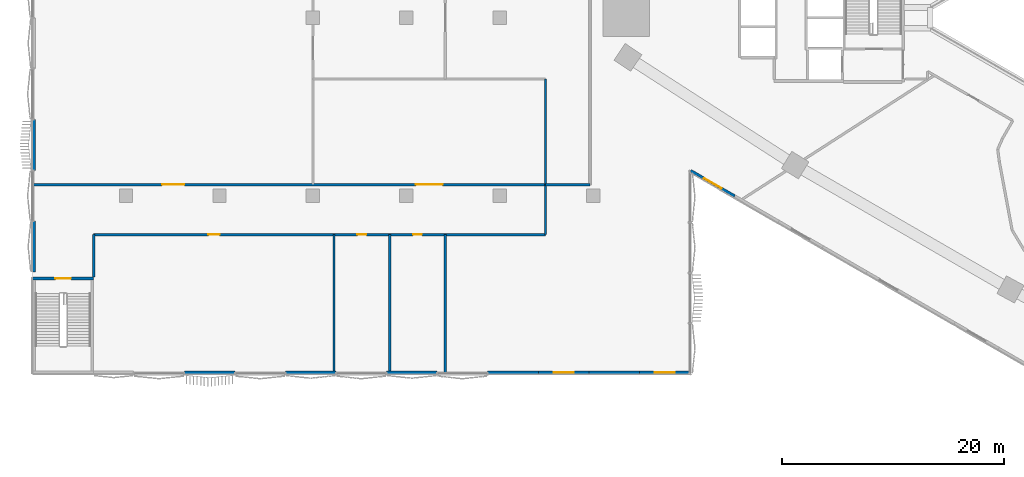
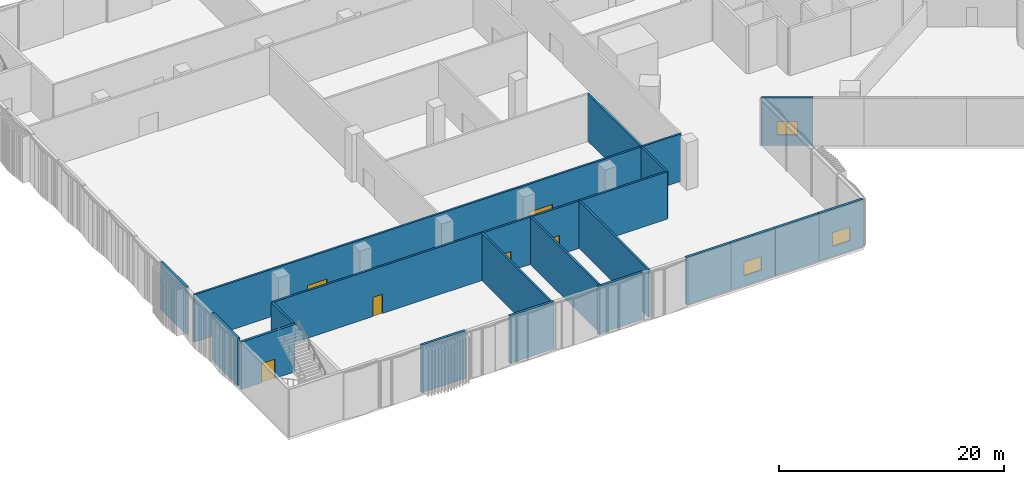
# One storey, part 12 of 31: 20 walls, 6 doors, 3 windows, 9 openings.
"""IFC4 building model written with IfcOpenShell, lengths in metres."""

from ifc_helpers import new_model, si_unit, direction, frame, frame_2d, origin, place, context, subcontext, project, spatial, rectangle, extrude, material, layer, layer_set, type_object, element, fill, save


model = new_model("IFC4")

# Units and contexts
model_context = context("Model", 3, precision=1e-05, world=origin(), true_north=direction((0.0, 1.0)))
body_context = subcontext(model_context, "Body", "Model", "MODEL_VIEW")
ifc_project = project(units=[si_unit("LENGTHUNIT", "METRE"), si_unit("AREAUNIT", "SQUARE_METRE"), si_unit("VOLUMEUNIT", "CUBIC_METRE"), si_unit("PLANEANGLEUNIT", "RADIAN"), si_unit("MASSUNIT", "GRAM", prefix="KILO")], contexts=[model_context])

# Site, building, storey
site_placement = place(None, origin())
site = spatial("IfcSite", under=ifc_project, at=site_placement, CompositionType="ELEMENT")
building_placement = place(site_placement, origin())
building = spatial("IfcBuilding", under=site, at=building_placement, Name="Tamra Quay Hotel Tower", CompositionType="ELEMENT")
storey_placement = place(building_placement, frame((0.0, 0.0, 14.0)))
storey = spatial("IfcBuildingStorey", under=building, at=storey_placement, Name="L02", CompositionType="ELEMENT", Elevation=14.0)

# Wall, opening, door
ifc_material_1 = material(Name="Concrete M70", Category="concrete")
ifc_layer_1 = layer(ifc_material_1, 0.199951171875)
ifc_layer_set_1 = layer_set([ifc_layer_1], Name="Concrete M70 core wall 200")
wall_type_1 = type_object("IfcWallType", Name="Concrete M70 core wall 200", PredefinedType="SHEAR", material=ifc_layer_set_1)
wall_1_placement = place(storey_placement, frame((-89.10009765625, -23.425048828125, 0.0), z_axis=(0.0, 0.0, 1.0), x_axis=(1.0, 0.0, 0.0)))
wall_1 = element("IfcWall", 1, at=wall_1_placement, inside=storey, type_object=wall_type_1, Name="CW2", PredefinedType="SHEAR", context=body_context, shape_type="SweptSolid", body=[
    extrude(rectangle(XDim=5.5, YDim=0.25, at=frame_2d((2.75, 0.0))), origin(), (0.0, 0.0, 1.0), 5.14990234375),
])
opening_1_placement = place(wall_1_placement, frame((2.050048828125, 0.0, 0.0)))
opening_1 = element("IfcOpeningElement", 2, at=opening_1_placement, cuts=wall_1, Name="Opening FD2", PredefinedType="OPENING", context=body_context, shape_type="SweptSolid", body=[
    extrude(rectangle(XDim=1.39990234375, YDim=2.10009765625, at=frame_2d((0.699951171875, 1.050048828125))), frame((0.0, 0.135009765625, 0.0), z_axis=(0.0, -1.0, 0.0), x_axis=(1.0, 0.0, 0.0)), (0.0, 0.0, 1.0), 0.27001953125),
])
ifc_material_2 = material(Name="Core door FD2 1400x2100 RH")
door_type_1 = type_object("IfcDoorType", Name="Core door FD2 1400x2100 RH", OperationType="NOTDEFINED", PredefinedType="DOOR", material=ifc_material_2)
door_1_placement = place(opening_1_placement, origin())
door_1 = element("IfcDoor", 3, at=door_1_placement, inside=storey, type_object=door_type_1, Name="FD2", OperationType="SINGLE_SWING_RIGHT", OverallHeight=2.10009765625, OverallWidth=1.39990234375, PredefinedType="DOOR", context=body_context, shape_type="SweptSolid", body=[
    extrude(rectangle(XDim=1.39990234375, YDim=2.10009765625, at=frame_2d((0.699951171875, 1.050048828125))), frame((0.0, 0.02490234375, 0.0), z_axis=(0.0, -1.0, 0.0), x_axis=(1.0, 0.0, 0.0)), (0.0, 0.0, 1.0), 0.050048828125),
])
fill(opening_1, door_1)

# Wall, opening, window
ifc_material_3 = material(Name="Blockwork masonry plastered", Category="masonry")
ifc_layer_2 = layer(ifc_material_3, 0.25)
ifc_layer_set_2 = layer_set([ifc_layer_2], Name="EXTERNAL WALL 250")
wall_type_2 = type_object("IfcWallType", Name="EXTERNAL WALL 250", PredefinedType="SOLIDWALL", material=ifc_layer_set_2)
wall_2_placement = place(storey_placement, frame((-25.98291015625, -16.03125, 0.0), z_axis=(0.0, 0.0, 1.0), x_axis=(-0.866023543838, 0.500003221507, 0.0)))
wall_2 = element("IfcWall", 4, at=wall_2_placement, inside=storey, type_object=wall_type_2, Name="EW1", PredefinedType="SOLIDWALL", context=body_context, shape_type="SweptSolid", body=[
    extrude(rectangle(XDim=4.56640625, YDim=0.25, at=frame_2d((2.283203125, 0.0))), origin(), (0.0, 0.0, 1.0), 5.14990234375),
])
opening_2_placement = place(wall_2_placement, frame((1.383056640625, 0.0, 1.10009765625)))
opening_2 = element("IfcOpeningElement", 5, at=opening_2_placement, cuts=wall_2, Name="Opening PW2", PredefinedType="OPENING", context=body_context, shape_type="SweptSolid", body=[
    extrude(rectangle(XDim=1.800048828125, YDim=1.5, at=frame_2d((0.89990234375, 0.75))), frame((0.0, 0.135009765625, 0.0), z_axis=(0.0, -1.0, 0.0), x_axis=(1.0, 0.0, 0.0)), (0.0, 0.0, 1.0), 0.27001953125),
])
ifc_material_4 = material(Name="Aluminium window with clear glass", Category="aluminium")
window_type = type_object("IfcWindowType", Name="PODIUM WINDOW 1800X1500", PartitioningType="DOUBLE_PANEL_VERTICAL", PredefinedType="WINDOW", material=ifc_material_4)
window_1_placement = place(opening_2_placement, origin())
window_1 = element("IfcWindow", 6, at=window_1_placement, inside=storey, type_object=window_type, Name="PW2", OverallHeight=1.5, OverallWidth=1.800048828125, PartitioningType="SINGLE_PANEL", PredefinedType="WINDOW", context=body_context, shape_type="SweptSolid", body=[
    extrude(rectangle(XDim=1.800048828125, YDim=1.5, at=frame_2d((0.89990234375, 0.75))), frame((0.0, 0.030029296875, 0.0), z_axis=(0.0, -1.0, 0.0), x_axis=(1.0, 0.0, 0.0)), (0.0, 0.0, 1.0), 0.06005859375),
])
fill(opening_2, window_1)

# Walls
for number, where, z_axis, x_axis, name in (
    (7, (-88.97509765625, -13.71435546875, 0.0), (0.0, 0.0, 1.0), (0.0, 1.0, 0.0), "EW1"),
    (8, (-88.97509765625, -22.857177734375, 0.0), (0.0, 0.0, 1.0), (0.0, 1.0, 0.0), "EW1"),
):
    element("IfcWall", number, at=place(storey_placement, frame(where, z_axis=z_axis, x_axis=x_axis)), inside=storey, type_object=wall_type_2, Name=name, PredefinedType="SOLIDWALL", context=body_context, shape_type="SweptSolid", body=[
        extrude(rectangle(XDim=4.571533203125, YDim=0.25, at=frame_2d((2.28564453125, 0.0))), origin(), (0.0, 0.0, 1.0), 5.14990234375),
    ])
for number, where, z_axis, x_axis, name in (
    (9, (-70.915283203125, -31.875, 0.0), (0.0, 0.0, 1.0), (-1.0, 0.0, 0.0), "EW1"),
    (10, (-61.822998046875, -31.875, 0.0), (0.0, 0.0, 1.0), (-1.0, 0.0, 0.0), "EW1"),
    (11, (-52.730712890625, -31.875, 0.0), (0.0, 0.0, 1.0), (-1.0, 0.0, 0.0), "EW1"),
    (12, (-43.638427734375, -31.875, 0.0), (0.0, 0.0, 1.0), (-1.0, 0.0, 0.0), "EW1"),
):
    element("IfcWall", number, at=place(storey_placement, frame(where, z_axis=z_axis, x_axis=x_axis)), inside=storey, type_object=wall_type_2, Name=name, PredefinedType="SOLIDWALL", context=body_context, shape_type="SweptSolid", body=[
        extrude(rectangle(XDim=4.546142578125, YDim=0.25, at=frame_2d((2.27294921875, 0.0))), origin(), (0.0, 0.0, 1.0), 5.14990234375),
    ])

# Wall, opening, window
wall_3_placement = place(storey_placement, frame((-39.09228515625, -31.875, 0.0), z_axis=(0.0, 0.0, 1.0), x_axis=(-1.0, 0.0, 0.0)))
wall_3 = element("IfcWall", 13, at=wall_3_placement, inside=storey, type_object=wall_type_2, Name="EW1", PredefinedType="SOLIDWALL", context=body_context, shape_type="SweptSolid", body=[
    extrude(rectangle(XDim=4.546142578125, YDim=0.25, at=frame_2d((2.27294921875, 0.0))), origin(), (0.0, 0.0, 1.0), 5.14990234375),
])
opening_3_placement = place(wall_3_placement, frame((1.373046875, 0.0, 1.10009765625)))
opening_3 = element("IfcOpeningElement", 14, at=opening_3_placement, cuts=wall_3, Name="Opening PW2", PredefinedType="OPENING", context=body_context, shape_type="SweptSolid", body=[
    extrude(rectangle(XDim=1.800048828125, YDim=1.5, at=frame_2d((0.89990234375, 0.75))), frame((0.0, 0.135009765625, 0.0), z_axis=(0.0, -1.0, 0.0), x_axis=(1.0, 0.0, 0.0)), (0.0, 0.0, 1.0), 0.27001953125),
])
window_2_placement = place(opening_3_placement, origin())
window_2 = element("IfcWindow", 15, at=window_2_placement, inside=storey, type_object=window_type, Name="PW2", OverallHeight=1.5, OverallWidth=1.800048828125, PartitioningType="SINGLE_PANEL", PredefinedType="WINDOW", context=body_context, shape_type="SweptSolid", body=[
    extrude(rectangle(XDim=1.800048828125, YDim=1.5, at=frame_2d((0.89990234375, 0.75))), frame((0.0, 0.030029296875, 0.0), z_axis=(0.0, -1.0, 0.0), x_axis=(1.0, 0.0, 0.0)), (0.0, 0.0, 1.0), 0.06005859375),
])
fill(opening_3, window_2)

# Wall
wall_4_placement = place(storey_placement, frame((-34.546142578125, -31.875, 0.0), z_axis=(0.0, 0.0, 1.0), x_axis=(-1.0, 0.0, 0.0)))
element("IfcWall", 16, at=wall_4_placement, inside=storey, type_object=wall_type_2, Name="EW1", PredefinedType="SOLIDWALL", context=body_context, shape_type="SweptSolid", body=[
    extrude(rectangle(XDim=4.546142578125, YDim=0.25, at=frame_2d((2.27294921875, 0.0))), origin(), (0.0, 0.0, 1.0), 5.14990234375),
])

# Wall, opening, window
wall_5_placement = place(storey_placement, frame((-30.0, -31.875, 0.0), z_axis=(0.0, 0.0, 1.0), x_axis=(-1.0, 0.0, 0.0)))
wall_5 = element("IfcWall", 17, at=wall_5_placement, inside=storey, type_object=wall_type_2, Name="EW1", PredefinedType="SOLIDWALL", context=body_context, shape_type="SweptSolid", body=[
    extrude(rectangle(XDim=4.546142578125, YDim=0.25, at=frame_2d((2.27294921875, 0.0))), origin(), (0.0, 0.0, 1.0), 5.14990234375),
])
opening_4_placement = place(wall_5_placement, frame((1.373046875, 0.0, 1.10009765625)))
opening_4 = element("IfcOpeningElement", 18, at=opening_4_placement, cuts=wall_5, Name="Opening PW2", PredefinedType="OPENING", context=body_context, shape_type="SweptSolid", body=[
    extrude(rectangle(XDim=1.800048828125, YDim=1.5, at=frame_2d((0.89990234375, 0.75))), frame((0.0, 0.135009765625, 0.0), z_axis=(0.0, -1.0, 0.0), x_axis=(1.0, 0.0, 0.0)), (0.0, 0.0, 1.0), 0.27001953125),
])
window_3_placement = place(opening_4_placement, origin())
window_3 = element("IfcWindow", 19, at=window_3_placement, inside=storey, type_object=window_type, Name="PW2", OverallHeight=1.5, OverallWidth=1.800048828125, PartitioningType="SINGLE_PANEL", PredefinedType="WINDOW", context=body_context, shape_type="SweptSolid", body=[
    extrude(rectangle(XDim=1.800048828125, YDim=1.5, at=frame_2d((0.89990234375, 0.75))), frame((0.0, 0.030029296875, 0.0), z_axis=(0.0, -1.0, 0.0), x_axis=(1.0, 0.0, 0.0)), (0.0, 0.0, 1.0), 0.06005859375),
])
fill(opening_4, window_3)

# Wall, openings, doors
ifc_material_5 = material(Name="Partition corridor wall")
ifc_layer_3 = layer(ifc_material_5, 0.199951171875)
ifc_layer_set_3 = layer_set([ifc_layer_3], Name="Partition corridor wall")
wall_type_3 = type_object("IfcWallType", Name="Partition corridor wall", PredefinedType="PARTITIONING", material=ifc_layer_set_3)
wall_6_placement = place(storey_placement, frame((-89.094970703125, -15.0, 0.0), z_axis=(0.0, 0.0, 1.0), x_axis=(1.0, 0.0, 0.0)))
wall_6 = element("IfcWall", 20, at=wall_6_placement, inside=storey, type_object=wall_type_3, Name="W-C", PredefinedType="PARTITIONING", context=body_context, shape_type="SweptSolid", body=[
    extrude(rectangle(XDim=46.094970703125, YDim=0.199951171875, at=frame_2d((23.04736328125, 0.0))), origin(), (0.0, 0.0, 1.0), 5.14990234375),
])
opening_5_placement = place(wall_6_placement, frame((11.6494140625, 0.0, 0.0)))
opening_5 = element("IfcOpeningElement", 21, at=opening_5_placement, cuts=wall_6, Name="Opening L02-D003", PredefinedType="OPENING", context=body_context, shape_type="SweptSolid", body=[
    extrude(rectangle(XDim=2.0, YDim=2.10009765625, at=frame_2d((1.0, 1.050048828125))), frame((0.0, 0.10986328125, 0.0), z_axis=(0.0, -1.0, 0.0), x_axis=(1.0, 0.0, 0.0)), (0.0, 0.0, 1.0), 0.219970703125),
])
opening_6_placement = place(wall_6_placement, frame((34.445068359375, 0.0, 0.0)))
opening_6 = element("IfcOpeningElement", 22, at=opening_6_placement, cuts=wall_6, Name="Opening L02-D006", PredefinedType="OPENING", context=body_context, shape_type="SweptSolid", body=[
    extrude(rectangle(XDim=2.39990234375, YDim=2.10009765625, at=frame_2d((1.199951171875, 1.050048828125))), frame((0.0, 0.10986328125, 0.0), z_axis=(0.0, -1.0, 0.0), x_axis=(1.0, 0.0, 0.0)), (0.0, 0.0, 1.0), 0.219970703125),
])
ifc_material_6 = material(Name="Door double leaf 2000x2100")
door_type_2 = type_object("IfcDoorType", Name="Door double leaf 2000x2100", OperationType="DOUBLE_DOOR_SINGLE_SWING", PredefinedType="DOOR", material=ifc_material_6)
door_2_placement = place(opening_5_placement, origin())
door_2 = element("IfcDoor", 23, at=door_2_placement, inside=storey, type_object=door_type_2, Name="L02-D003", OperationType="DOUBLE_DOOR_SINGLE_SWING", OverallHeight=2.10009765625, OverallWidth=2.0, PredefinedType="DOOR", context=body_context, shape_type="SweptSolid", body=[
    extrude(rectangle(XDim=2.0, YDim=2.10009765625, at=frame_2d((1.0, 1.050048828125))), frame((0.0, 0.02490234375, 0.0), z_axis=(0.0, -1.0, 0.0), x_axis=(1.0, 0.0, 0.0)), (0.0, 0.0, 1.0), 0.050048828125),
])
fill(opening_5, door_2)
ifc_material_7 = material(Name="Door double leaf 2400x2100")
door_type_3 = type_object("IfcDoorType", Name="Door double leaf 2400x2100", OperationType="DOUBLE_DOOR_SINGLE_SWING", PredefinedType="DOOR", material=ifc_material_7)
door_3_placement = place(opening_6_placement, origin())
door_3 = element("IfcDoor", 24, at=door_3_placement, inside=storey, type_object=door_type_3, Name="L02-D006", OperationType="DOUBLE_DOOR_SINGLE_SWING", OverallHeight=2.10009765625, OverallWidth=2.39990234375, PredefinedType="DOOR", context=body_context, shape_type="SweptSolid", body=[
    extrude(rectangle(XDim=2.39990234375, YDim=2.10009765625, at=frame_2d((1.199951171875, 1.050048828125))), frame((0.0, 0.02490234375, 0.0), z_axis=(0.0, -1.0, 0.0), x_axis=(1.0, 0.0, 0.0)), (0.0, 0.0, 1.0), 0.050048828125),
])
fill(opening_6, door_3)

# Wall
wall_7_placement = place(storey_placement, frame((-83.60009765625, -23.300048828125, 0.0), z_axis=(0.0, 0.0, 1.0), x_axis=(0.0, 1.0, 0.0)))
element("IfcWall", 25, at=wall_7_placement, inside=storey, type_object=wall_type_3, Name="W-C", PredefinedType="PARTITIONING", context=body_context, shape_type="SweptSolid", body=[
    extrude(rectangle(XDim=3.800048828125, YDim=0.199951171875, at=frame_2d((1.89990234375, 0.0))), origin(), (0.0, 0.0, 1.0), 5.14990234375),
])

# Wall, openings, doors
wall_8_placement = place(storey_placement, frame((-83.60009765625, -19.5, 0.0), z_axis=(0.0, 0.0, 1.0), x_axis=(1.0, 0.0, 0.0)))
wall_8 = element("IfcWall", 26, at=wall_8_placement, inside=storey, type_object=wall_type_3, Name="W-C", PredefinedType="PARTITIONING", context=body_context, shape_type="SweptSolid", body=[
    extrude(rectangle(XDim=40.60009765625, YDim=0.199951171875, at=frame_2d((20.300048828125, 0.0))), origin(), (0.0, 0.0, 1.0), 5.14990234375),
])
opening_7_placement = place(wall_8_placement, frame((10.305908203125, 0.0, 0.0)))
opening_7 = element("IfcOpeningElement", 27, at=opening_7_placement, cuts=wall_8, Name="Opening L02-D009", PredefinedType="OPENING", context=body_context, shape_type="SweptSolid", body=[
    extrude(rectangle(XDim=1.0, YDim=2.10009765625, at=frame_2d((0.5, 1.050048828125))), frame((0.0, 0.10986328125, 0.0), z_axis=(0.0, -1.0, 0.0), x_axis=(1.0, 0.0, 0.0)), (0.0, 0.0, 1.0), 0.219970703125),
])
opening_8_placement = place(wall_8_placement, frame((23.700927734375, 0.0, 0.0)))
opening_8 = element("IfcOpeningElement", 28, at=opening_8_placement, cuts=wall_8, Name="Opening L02-D010", PredefinedType="OPENING", context=body_context, shape_type="SweptSolid", body=[
    extrude(rectangle(XDim=0.800048828125, YDim=2.10009765625, at=frame_2d((0.39990234375, 1.050048828125))), frame((0.0, 0.10986328125, 0.0), z_axis=(0.0, -1.0, 0.0), x_axis=(1.0, 0.0, 0.0)), (0.0, 0.0, 1.0), 0.219970703125),
])
opening_9_placement = place(wall_8_placement, frame((28.700927734375, 0.0, 0.0)))
opening_9 = element("IfcOpeningElement", 29, at=opening_9_placement, cuts=wall_8, Name="Opening L02-D011", PredefinedType="OPENING", context=body_context, shape_type="SweptSolid", body=[
    extrude(rectangle(XDim=0.800048828125, YDim=2.10009765625, at=frame_2d((0.39990234375, 1.050048828125))), frame((0.0, 0.10986328125, 0.0), z_axis=(0.0, -1.0, 0.0), x_axis=(1.0, 0.0, 0.0)), (0.0, 0.0, 1.0), 0.219970703125),
])
ifc_material_8 = material(Name="Door guest room 1000x2100")
door_type_4 = type_object("IfcDoorType", Name="Door guest room 1000x2100", OperationType="NOTDEFINED", PredefinedType="DOOR", material=ifc_material_8)
door_4_placement = place(opening_7_placement, frame((1.0, 0.0, 0.0), z_axis=(0.0, 0.0, 1.0), x_axis=(-1.0, 0.0, 0.0)))
door_4 = element("IfcDoor", 30, at=door_4_placement, inside=storey, type_object=door_type_4, Name="L02-D009", OperationType="SINGLE_SWING_LEFT", OverallHeight=2.10009765625, OverallWidth=1.0, PredefinedType="DOOR", context=body_context, shape_type="SweptSolid", body=[
    extrude(rectangle(XDim=1.0, YDim=2.10009765625, at=frame_2d((0.5, 1.050048828125))), frame((0.0, 0.02490234375, 0.0), z_axis=(0.0, -1.0, 0.0), x_axis=(1.0, 0.0, 0.0)), (0.0, 0.0, 1.0), 0.050048828125),
])
fill(opening_7, door_4)
ifc_material_9 = material(Name="Door service room 800x2100")
door_type_5 = type_object("IfcDoorType", Name="Door service room 800x2100", OperationType="NOTDEFINED", PredefinedType="DOOR", material=ifc_material_9)
door_5_placement = place(opening_8_placement, frame((0.800048828125, 0.0, 0.0), z_axis=(0.0, 0.0, 1.0), x_axis=(-1.0, 0.0, 0.0)))
door_5 = element("IfcDoor", 31, at=door_5_placement, inside=storey, type_object=door_type_5, Name="L02-D010", OperationType="SINGLE_SWING_LEFT", OverallHeight=2.10009765625, OverallWidth=0.800048828125, PredefinedType="DOOR", context=body_context, shape_type="SweptSolid", body=[
    extrude(rectangle(XDim=0.800048828125, YDim=2.10009765625, at=frame_2d((0.39990234375, 1.050048828125))), frame((0.0, 0.02490234375, 0.0), z_axis=(0.0, -1.0, 0.0), x_axis=(1.0, 0.0, 0.0)), (0.0, 0.0, 1.0), 0.050048828125),
])
fill(opening_8, door_5)
door_6_placement = place(opening_9_placement, frame((0.800048828125, 0.0, 0.0), z_axis=(0.0, 0.0, 1.0), x_axis=(-1.0, 0.0, 0.0)))
door_6 = element("IfcDoor", 32, at=door_6_placement, inside=storey, type_object=door_type_5, Name="L02-D011", OperationType="SINGLE_SWING_LEFT", OverallHeight=2.10009765625, OverallWidth=0.800048828125, PredefinedType="DOOR", context=body_context, shape_type="SweptSolid", body=[
    extrude(rectangle(XDim=0.800048828125, YDim=2.10009765625, at=frame_2d((0.39990234375, 1.050048828125))), frame((0.0, 0.02490234375, 0.0), z_axis=(0.0, -1.0, 0.0), x_axis=(1.0, 0.0, 0.0)), (0.0, 0.0, 1.0), 0.050048828125),
])
fill(opening_9, door_6)

# Walls
wall_9_placement = place(storey_placement, frame((-43.0, -19.5, 0.0), z_axis=(0.0, 0.0, 1.0), x_axis=(0.0, 1.0, 0.0)))
element("IfcWall", 33, at=wall_9_placement, inside=storey, type_object=wall_type_3, Name="W-C", PredefinedType="PARTITIONING", context=body_context, shape_type="SweptSolid", body=[
    extrude(rectangle(XDim=4.498046875, YDim=0.199951171875, at=frame_2d((2.2490234375, 0.0))), origin(), (0.0, 0.0, 1.0), 5.14990234375),
])
ifc_material_10 = material(Name="Partition party wall")
ifc_layer_4 = layer(ifc_material_10, 0.199951171875)
ifc_layer_set_4 = layer_set([ifc_layer_4], Name="Partition party wall")
wall_type_4 = type_object("IfcWallType", Name="Partition party wall", PredefinedType="PARTITIONING", material=ifc_layer_set_4)
for number, where, z_axis, x_axis, name in (
    (34, (-62.0, -31.9951171875, 0.0), (0.0, 0.0, 1.0), (0.0, 1.0, 0.0), "W-P"),
    (35, (-57.0, -31.9951171875, 0.0), (0.0, 0.0, 1.0), (0.0, 1.0, 0.0), "W-P"),
    (36, (-52.0, -31.9951171875, 0.0), (0.0, 0.0, 1.0), (0.0, 1.0, 0.0), "W-P"),
):
    element("IfcWall", number, at=place(storey_placement, frame(where, z_axis=z_axis, x_axis=x_axis)), inside=storey, type_object=wall_type_4, Name=name, PredefinedType="PARTITIONING", context=body_context, shape_type="SweptSolid", body=[
        extrude(rectangle(XDim=12.4931640625, YDim=0.199951171875, at=frame_2d((6.24658203125, 0.0))), origin(), (0.0, 0.0, 1.0), 5.14990234375),
    ])
wall_10_placement = place(storey_placement, frame((-43.0, -15.0, 0.0), z_axis=(0.0, 0.0, 1.0), x_axis=(0.0, 1.0, 0.0)))
element("IfcWall", 37, at=wall_10_placement, inside=storey, type_object=wall_type_4, Name="W-P", PredefinedType="PARTITIONING", context=body_context, shape_type="SweptSolid", body=[
    extrude(rectangle(XDim=9.5, YDim=0.199951171875, at=frame_2d((4.75, 0.0))), origin(), (0.0, 0.0, 1.0), 5.14990234375),
])
wall_11_placement = place(storey_placement, frame((-42.998046875, -15.0, 0.0), z_axis=(0.0, 0.0, 1.0), x_axis=(1.0, 0.0, 0.0)))
element("IfcWall", 38, at=wall_11_placement, inside=storey, type_object=wall_type_4, Name="W-P", PredefinedType="PARTITIONING", context=body_context, shape_type="SweptSolid", body=[
    extrude(rectangle(XDim=3.998046875, YDim=0.199951171875, at=frame_2d((1.9990234375, 0.0))), origin(), (0.0, 0.0, 1.0), 5.14990234375),
])

save(model, "model.ifc")
